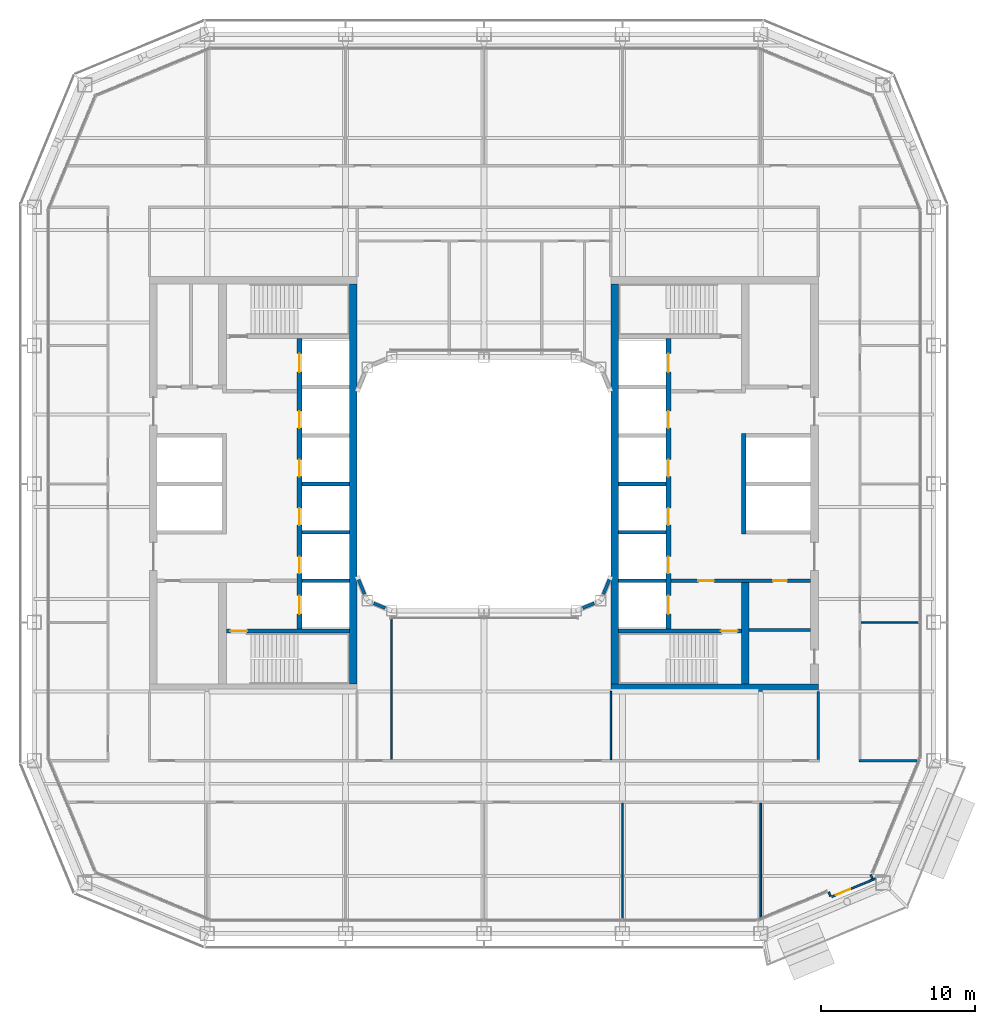
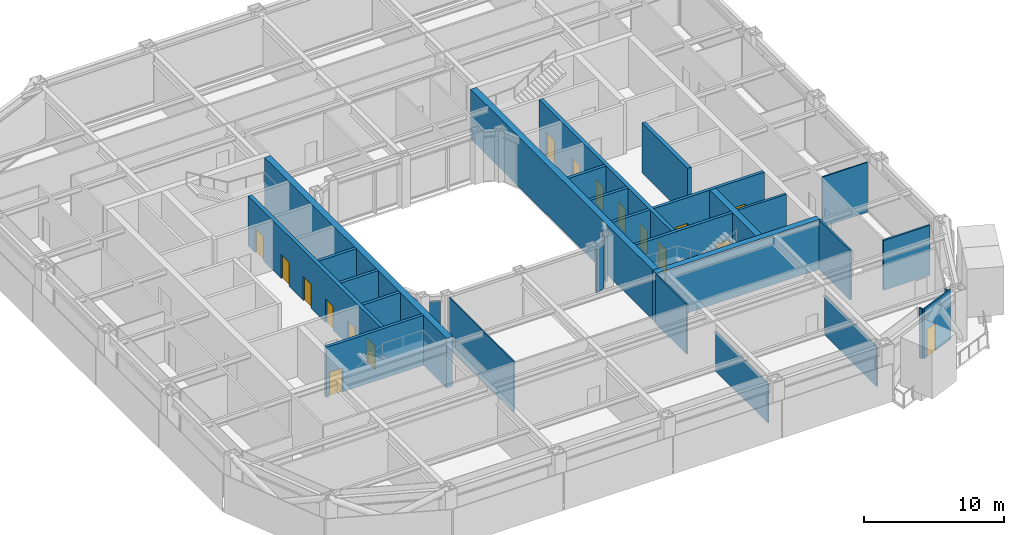
# One storey, part 12 of 23: 31 walls, 17 doors, 17 openings.
"""IFC4 building model written with IfcOpenShell, lengths in metres."""

from ifc_helpers import new_model, si_unit, direction, frame, frame_2d, origin, place, context, subcontext, project, spatial, rectangle, extrude, material, layer, layer_set, type_object, element, fill, save


model = new_model("IFC4")

# Units and contexts
model_context = context("Model", 3, precision=1e-05, world=origin(), true_north=direction((0.0, 1.0)))
body_context = subcontext(model_context, "Body", "Model", "MODEL_VIEW")
ifc_project = project(units=[si_unit("LENGTHUNIT", "METRE"), si_unit("AREAUNIT", "SQUARE_METRE"), si_unit("VOLUMEUNIT", "CUBIC_METRE"), si_unit("PLANEANGLEUNIT", "RADIAN"), si_unit("MASSUNIT", "GRAM", prefix="KILO")], contexts=[model_context])

# Site, building, storey
site_placement = place(None, origin())
site = spatial("IfcSite", under=ifc_project, at=site_placement, CompositionType="ELEMENT")
building_placement = place(site_placement, origin())
building = spatial("IfcBuilding", under=site, at=building_placement, Name="Siwar Civic Tower", CompositionType="ELEMENT")
storey_placement = place(building_placement, frame((0.0, 0.0, 127.199951171875)))
storey = spatial("IfcBuildingStorey", under=building, at=storey_placement, Name="L27", CompositionType="ELEMENT", Elevation=127.199951171875)

# Walls
ifc_material_1 = material(Name="Gypsum board on steel studs", Category="steel")
ifc_layer_1 = layer(ifc_material_1, 0.199951171875)
ifc_layer_set_1 = layer_set([ifc_layer_1], Name="Gypsum board on steel studs")
wall_type_1 = type_object("IfcWallType", Name="CORE-PARTITION-200", PredefinedType="PARTITIONING", material=ifc_layer_set_1)
wall_1_placement = place(storey_placement, frame((17.25, -9.5, 0.0), z_axis=(0.0, 0.0, 1.0), x_axis=(1.0, 0.0, 0.0)))
element("IfcWall", 1, at=wall_1_placement, inside=storey, type_object=wall_type_1, Name="Core partition E", PredefinedType="PARTITIONING", context=body_context, shape_type="SweptSolid", body=[
    extrude(rectangle(XDim=4.0, YDim=0.199951171875, at=frame_2d((2.0, 0.0))), origin(), (0.0, 0.0, 1.0), 4.35009765625),
])
ifc_material_2 = material(Name="Concrete C60/75", Category="concrete")
ifc_layer_2 = layer(ifc_material_2, 0.25)
ifc_layer_set_2 = layer_set([ifc_layer_2], Name="Concrete C60/75")
wall_type_2 = type_object("IfcWallType", Name="CORE-WALL-RC250", PredefinedType="SHEAR", material=ifc_layer_set_2)
for number, where, z_axis, x_axis, name in (
    (2, (-8.75, 0.0, 0.0), (0.0, 0.0, 1.0), (-1.0, 0.0, 0.0), "Core wall W"),
    (3, (-8.75, -3.14990234375, 0.0), (0.0, 0.0, 1.0), (-1.0, 0.0, 0.0), "Core wall W"),
    (4, (-8.75, -6.300048828125, 0.0), (0.0, 0.0, 1.0), (-1.0, 0.0, 0.0), "Core wall W"),
):
    element("IfcWall", number, at=place(storey_placement, frame(where, z_axis=z_axis, x_axis=x_axis)), inside=storey, type_object=wall_type_2, Name=name, PredefinedType="SHEAR", context=body_context, shape_type="SweptSolid", body=[
        extrude(rectangle(XDim=3.10009765625, YDim=0.25, at=frame_2d((1.550048828125, 0.0))), origin(), (0.0, 0.0, 1.0), 4.35009765625),
    ])

# Wall, opening, door
wall_2_placement = place(storey_placement, frame((-8.75, -9.574951171875, 0.0), z_axis=(0.0, 0.0, 1.0), x_axis=(-1.0, 0.0, 0.0)))
wall_2 = element("IfcWall", 5, at=wall_2_placement, inside=storey, type_object=wall_type_2, Name="Core wall W", PredefinedType="SHEAR", context=body_context, shape_type="SweptSolid", body=[
    extrude(rectangle(XDim=8.0, YDim=0.25, at=frame_2d((4.0, 0.0))), origin(), (0.0, 0.0, 1.0), 4.35009765625),
])
opening_1_placement = place(wall_2_placement, frame((6.64990234375, 0.0, 0.0)))
opening_1 = element("IfcOpeningElement", 6, at=opening_1_placement, cuts=wall_2, Name="Opening L27-CW04", PredefinedType="OPENING", context=body_context, shape_type="SweptSolid", body=[
    extrude(rectangle(XDim=1.10009765625, YDim=2.10009765625, at=frame_2d((0.550048828125, 1.050048828125))), frame((0.0, 0.135009765625, 0.0), z_axis=(0.0, -1.0, 0.0), x_axis=(1.0, 0.0, 0.0)), (0.0, 0.0, 1.0), 0.27001953125),
])
ifc_material_3 = material(Name="Steel door leaf", Category="steel")
door_type_1 = type_object("IfcDoorType", Name="CORE-DOOR-FD60S", OperationType="SINGLE_SWING_LEFT", PredefinedType="DOOR", material=ifc_material_3)
door_1_placement = place(opening_1_placement, origin())
door_1 = element("IfcDoor", 7, at=door_1_placement, inside=storey, type_object=door_type_1, Name="Stair door L27-CW04", OperationType="SINGLE_SWING_LEFT", OverallHeight=2.10009765625, OverallWidth=1.10009765625, PredefinedType="DOOR", context=body_context, shape_type="SweptSolid", body=[
    extrude(rectangle(XDim=1.10009765625, YDim=2.10009765625, at=frame_2d((0.550048828125, 1.050048828125))), frame((0.0, 0.02490234375, 0.0), z_axis=(0.0, -1.0, 0.0), x_axis=(1.0, 0.0, 0.0)), (0.0, 0.0, 1.0), 0.050048828125),
])
fill(opening_1, door_1)

# Wall, openings, doors
wall_3_placement = place(storey_placement, frame((12.14990234375, -6.300048828125, 0.0), z_axis=(0.0, 0.0, 1.0), x_axis=(1.0, 0.0, 0.0)))
wall_3 = element("IfcWall", 8, at=wall_3_placement, inside=storey, type_object=wall_type_2, Name="Core wall E", PredefinedType="SHEAR", context=body_context, shape_type="SweptSolid", body=[
    extrude(rectangle(XDim=9.10009765625, YDim=0.25, at=frame_2d((4.550048828125, 0.0))), origin(), (0.0, 0.0, 1.0), 4.35009765625),
])
opening_2_placement = place(wall_3_placement, frame((1.800048828125, 0.0, 0.0)))
opening_2 = element("IfcOpeningElement", 9, at=opening_2_placement, cuts=wall_3, Name="Opening L27-CE02", PredefinedType="OPENING", context=body_context, shape_type="SweptSolid", body=[
    extrude(rectangle(XDim=1.0, YDim=2.10009765625, at=frame_2d((0.5, 1.050048828125))), frame((0.0, 0.135009765625, 0.0), z_axis=(0.0, -1.0, 0.0), x_axis=(1.0, 0.0, 0.0)), (0.0, 0.0, 1.0), 0.27001953125),
])
opening_3_placement = place(wall_3_placement, frame((6.64990234375, 0.0, 0.0)))
opening_3 = element("IfcOpeningElement", 10, at=opening_3_placement, cuts=wall_3, Name="Opening L27-CE14", PredefinedType="OPENING", context=body_context, shape_type="SweptSolid", body=[
    extrude(rectangle(XDim=0.89990234375, YDim=2.10009765625, at=frame_2d((0.449951171875, 1.050048828125))), frame((0.0, 0.135009765625, 0.0), z_axis=(0.0, -1.0, 0.0), x_axis=(1.0, 0.0, 0.0)), (0.0, 0.0, 1.0), 0.27001953125),
])
ifc_material_4 = material(Name="Steel door leaf", Category="steel")
door_type_2 = type_object("IfcDoorType", Name="CORE-DOOR-FD30S", OperationType="SINGLE_SWING_LEFT", PredefinedType="DOOR", material=ifc_material_4)
door_2_placement = place(opening_2_placement, origin())
door_2 = element("IfcDoor", 11, at=door_2_placement, inside=storey, type_object=door_type_2, Name="Service lobby door L27-CE02", OperationType="SINGLE_SWING_LEFT", OverallHeight=2.10009765625, OverallWidth=1.0, PredefinedType="DOOR", context=body_context, shape_type="SweptSolid", body=[
    extrude(rectangle(XDim=1.0, YDim=2.10009765625, at=frame_2d((0.5, 1.050048828125))), frame((0.0, 0.02490234375, 0.0), z_axis=(0.0, -1.0, 0.0), x_axis=(1.0, 0.0, 0.0)), (0.0, 0.0, 1.0), 0.050048828125),
])
fill(opening_2, door_2)
ifc_material_5 = material(Name="Steel door leaf", Category="steel")
door_type_3 = type_object("IfcDoorType", Name="CORE-DOOR-ROOM", OperationType="SINGLE_SWING_LEFT", PredefinedType="DOOR", material=ifc_material_5)
door_3_placement = place(opening_3_placement, origin())
door_3 = element("IfcDoor", 12, at=door_3_placement, inside=storey, type_object=door_type_3, Name="Core room door L27-CE14", OperationType="SINGLE_SWING_LEFT", OverallHeight=2.10009765625, OverallWidth=0.89990234375, PredefinedType="DOOR", context=body_context, shape_type="SweptSolid", body=[
    extrude(rectangle(XDim=0.89990234375, YDim=2.10009765625, at=frame_2d((0.449951171875, 1.050048828125))), frame((0.0, 0.02490234375, 0.0), z_axis=(0.0, -1.0, 0.0), x_axis=(1.0, 0.0, 0.0)), (0.0, 0.0, 1.0), 0.050048828125),
])
fill(opening_3, door_3)

# Walls
for number, where, z_axis, x_axis, name in (
    (13, (8.75, 0.0, 0.0), (0.0, 0.0, 1.0), (1.0, 0.0, 0.0), "Core wall E"),
    (14, (8.75, -3.14990234375, 0.0), (0.0, 0.0, 1.0), (1.0, 0.0, 0.0), "Core wall E"),
    (15, (8.75, -6.300048828125, 0.0), (0.0, 0.0, 1.0), (1.0, 0.0, 0.0), "Core wall E"),
):
    element("IfcWall", number, at=place(storey_placement, frame(where, z_axis=z_axis, x_axis=x_axis)), inside=storey, type_object=wall_type_2, Name=name, PredefinedType="SHEAR", context=body_context, shape_type="SweptSolid", body=[
        extrude(rectangle(XDim=3.10009765625, YDim=0.25, at=frame_2d((1.550048828125, 0.0))), origin(), (0.0, 0.0, 1.0), 4.35009765625),
    ])

# Wall, opening, door
wall_4_placement = place(storey_placement, frame((8.75, -9.574951171875, 0.0), z_axis=(0.0, 0.0, 1.0), x_axis=(1.0, 0.0, 0.0)))
wall_4 = element("IfcWall", 16, at=wall_4_placement, inside=storey, type_object=wall_type_2, Name="Core wall E", PredefinedType="SHEAR", context=body_context, shape_type="SweptSolid", body=[
    extrude(rectangle(XDim=8.0, YDim=0.25, at=frame_2d((4.0, 0.0))), origin(), (0.0, 0.0, 1.0), 4.35009765625),
])
opening_4_placement = place(wall_4_placement, frame((6.64990234375, 0.0, 0.0)))
opening_4 = element("IfcOpeningElement", 17, at=opening_4_placement, cuts=wall_4, Name="Opening L27-CE04", PredefinedType="OPENING", context=body_context, shape_type="SweptSolid", body=[
    extrude(rectangle(XDim=1.10009765625, YDim=2.10009765625, at=frame_2d((0.550048828125, 1.050048828125))), frame((0.0, 0.135009765625, 0.0), z_axis=(0.0, -1.0, 0.0), x_axis=(1.0, 0.0, 0.0)), (0.0, 0.0, 1.0), 0.27001953125),
])
door_4_placement = place(opening_4_placement, origin())
door_4 = element("IfcDoor", 18, at=door_4_placement, inside=storey, type_object=door_type_1, Name="Stair door L27-CE04", OperationType="SINGLE_SWING_RIGHT", OverallHeight=2.10009765625, OverallWidth=1.10009765625, PredefinedType="DOOR", context=body_context, shape_type="SweptSolid", body=[
    extrude(rectangle(XDim=1.10009765625, YDim=2.10009765625, at=frame_2d((0.550048828125, 1.050048828125))), frame((0.0, 0.02490234375, 0.0), z_axis=(0.0, -1.0, 0.0), x_axis=(1.0, 0.0, 0.0)), (0.0, 0.0, 1.0), 0.050048828125),
])
fill(opening_4, door_4)

# Wall, openings, doors
ifc_material_6 = material(Name="Concrete C60/75", Category="concrete")
ifc_layer_3 = layer(ifc_material_6, 0.300048828125)
ifc_layer_set_3 = layer_set([ifc_layer_3], Name="Concrete C60/75")
wall_type_3 = type_object("IfcWallType", Name="CORE-WALL-RC300", PredefinedType="SHEAR", material=ifc_layer_set_3)
wall_5_placement = place(storey_placement, frame((-12.0, -9.449951171875, 0.0), z_axis=(0.0, 0.0, 1.0), x_axis=(0.0, 1.0, 0.0)))
wall_5 = element("IfcWall", 19, at=wall_5_placement, inside=storey, type_object=wall_type_3, Name="Core wall W", PredefinedType="SHEAR", context=body_context, shape_type="SweptSolid", body=[
    extrude(rectangle(XDim=18.89990234375, YDim=0.300048828125, at=frame_2d((9.449951171875, 0.0))), origin(), (0.0, 0.0, 1.0), 4.35009765625),
])
opening_5_placement = place(wall_5_placement, frame((3.625, 0.0, 0.0)))
opening_5 = element("IfcOpeningElement", 20, at=opening_5_placement, cuts=wall_5, Name="Opening L27-CW07", PredefinedType="OPENING", context=body_context, shape_type="SweptSolid", body=[
    extrude(rectangle(XDim=1.10009765625, YDim=2.10009765625, at=frame_2d((0.550048828125, 1.050048828125))), frame((0.0, 0.16015625, 0.0), z_axis=(0.0, -1.0, 0.0), x_axis=(1.0, 0.0, 0.0)), (0.0, 0.0, 1.0), 0.320068359375),
])
opening_6_placement = place(wall_5_placement, frame((6.77490234375, 0.0, 0.0)))
opening_6 = element("IfcOpeningElement", 21, at=opening_6_placement, cuts=wall_5, Name="Opening L27-CW08", PredefinedType="OPENING", context=body_context, shape_type="SweptSolid", body=[
    extrude(rectangle(XDim=1.10009765625, YDim=2.10009765625, at=frame_2d((0.550048828125, 1.050048828125))), frame((0.0, 0.16015625, 0.0), z_axis=(0.0, -1.0, 0.0), x_axis=(1.0, 0.0, 0.0)), (0.0, 0.0, 1.0), 0.320068359375),
])
opening_7_placement = place(wall_5_placement, frame((9.925048828125, 0.0, 0.0)))
opening_7 = element("IfcOpeningElement", 22, at=opening_7_placement, cuts=wall_5, Name="Opening L27-CW09", PredefinedType="OPENING", context=body_context, shape_type="SweptSolid", body=[
    extrude(rectangle(XDim=1.10009765625, YDim=2.10009765625, at=frame_2d((0.550048828125, 1.050048828125))), frame((0.0, 0.16015625, 0.0), z_axis=(0.0, -1.0, 0.0), x_axis=(1.0, 0.0, 0.0)), (0.0, 0.0, 1.0), 0.320068359375),
])
opening_8_placement = place(wall_5_placement, frame((13.074951171875, 0.0, 0.0)))
opening_8 = element("IfcOpeningElement", 23, at=opening_8_placement, cuts=wall_5, Name="Opening L27-CW10", PredefinedType="OPENING", context=body_context, shape_type="SweptSolid", body=[
    extrude(rectangle(XDim=1.10009765625, YDim=2.10009765625, at=frame_2d((0.550048828125, 1.050048828125))), frame((0.0, 0.16015625, 0.0), z_axis=(0.0, -1.0, 0.0), x_axis=(1.0, 0.0, 0.0)), (0.0, 0.0, 1.0), 0.320068359375),
])
opening_9_placement = place(wall_5_placement, frame((16.72509765625, 0.0, 0.0)))
opening_9 = element("IfcOpeningElement", 24, at=opening_9_placement, cuts=wall_5, Name="Opening L27-CW11", PredefinedType="OPENING", context=body_context, shape_type="SweptSolid", body=[
    extrude(rectangle(XDim=1.199951171875, YDim=2.10009765625, at=frame_2d((0.60009765625, 1.050048828125))), frame((0.0, 0.16015625, 0.0), z_axis=(0.0, -1.0, 0.0), x_axis=(1.0, 0.0, 0.0)), (0.0, 0.0, 1.0), 0.320068359375),
])
opening_10_placement = place(wall_5_placement, frame((0.97509765625, 0.0, 0.0)))
opening_10 = element("IfcOpeningElement", 25, at=opening_10_placement, cuts=wall_5, Name="Opening L27-CW12", PredefinedType="OPENING", context=body_context, shape_type="SweptSolid", body=[
    extrude(rectangle(XDim=1.199951171875, YDim=2.10009765625, at=frame_2d((0.60009765625, 1.050048828125))), frame((0.0, 0.16015625, 0.0), z_axis=(0.0, -1.0, 0.0), x_axis=(1.0, 0.0, 0.0)), (0.0, 0.0, 1.0), 0.320068359375),
])
ifc_material_7 = material(Name="Steel door leaf", Category="steel")
door_type_4 = type_object("IfcDoorType", Name="CORE-DOOR-LD", OperationType="DOUBLE_DOOR_SLIDING", PredefinedType="DOOR", material=ifc_material_7)
door_5_placement = place(opening_5_placement, origin())
door_5 = element("IfcDoor", 26, at=door_5_placement, inside=storey, type_object=door_type_4, Name="Landing door LR1 L27-CW07", OperationType="DOUBLE_DOOR_SLIDING", OverallHeight=2.10009765625, OverallWidth=1.10009765625, PredefinedType="DOOR", context=body_context, shape_type="SweptSolid", body=[
    extrude(rectangle(XDim=1.10009765625, YDim=2.10009765625, at=frame_2d((0.550048828125, 1.050048828125))), frame((0.0, 0.02490234375, 0.0), z_axis=(0.0, -1.0, 0.0), x_axis=(1.0, 0.0, 0.0)), (0.0, 0.0, 1.0), 0.050048828125),
])
fill(opening_5, door_5)
door_6_placement = place(opening_6_placement, origin())
door_6 = element("IfcDoor", 27, at=door_6_placement, inside=storey, type_object=door_type_4, Name="Landing door LR2 L27-CW08", OperationType="DOUBLE_DOOR_SLIDING", OverallHeight=2.10009765625, OverallWidth=1.10009765625, PredefinedType="DOOR", context=body_context, shape_type="SweptSolid", body=[
    extrude(rectangle(XDim=1.10009765625, YDim=2.10009765625, at=frame_2d((0.550048828125, 1.050048828125))), frame((0.0, 0.02490234375, 0.0), z_axis=(0.0, -1.0, 0.0), x_axis=(1.0, 0.0, 0.0)), (0.0, 0.0, 1.0), 0.050048828125),
])
fill(opening_6, door_6)
door_7_placement = place(opening_7_placement, origin())
door_7 = element("IfcDoor", 28, at=door_7_placement, inside=storey, type_object=door_type_4, Name="Landing door LR3 L27-CW09", OperationType="DOUBLE_DOOR_SLIDING", OverallHeight=2.10009765625, OverallWidth=1.10009765625, PredefinedType="DOOR", context=body_context, shape_type="SweptSolid", body=[
    extrude(rectangle(XDim=1.10009765625, YDim=2.10009765625, at=frame_2d((0.550048828125, 1.050048828125))), frame((0.0, 0.02490234375, 0.0), z_axis=(0.0, -1.0, 0.0), x_axis=(1.0, 0.0, 0.0)), (0.0, 0.0, 1.0), 0.050048828125),
])
fill(opening_7, door_7)
door_8_placement = place(opening_8_placement, origin())
door_8 = element("IfcDoor", 29, at=door_8_placement, inside=storey, type_object=door_type_4, Name="Landing door LR4 L27-CW10", OperationType="DOUBLE_DOOR_SLIDING", OverallHeight=2.10009765625, OverallWidth=1.10009765625, PredefinedType="DOOR", context=body_context, shape_type="SweptSolid", body=[
    extrude(rectangle(XDim=1.10009765625, YDim=2.10009765625, at=frame_2d((0.550048828125, 1.050048828125))), frame((0.0, 0.02490234375, 0.0), z_axis=(0.0, -1.0, 0.0), x_axis=(1.0, 0.0, 0.0)), (0.0, 0.0, 1.0), 0.050048828125),
])
fill(opening_8, door_8)
ifc_material_8 = material(Name="Steel door leaf", Category="steel")
door_type_5 = type_object("IfcDoorType", Name="CORE-DOOR-LDW", OperationType="DOUBLE_DOOR_SLIDING", PredefinedType="DOOR", material=ifc_material_8)
door_9_placement = place(opening_9_placement, origin())
door_9 = element("IfcDoor", 30, at=door_9_placement, inside=storey, type_object=door_type_5, Name="Landing door FF1 L27-CW11", OperationType="DOUBLE_DOOR_SLIDING", OverallHeight=2.10009765625, OverallWidth=1.199951171875, PredefinedType="DOOR", context=body_context, shape_type="SweptSolid", body=[
    extrude(rectangle(XDim=1.199951171875, YDim=2.10009765625, at=frame_2d((0.60009765625, 1.050048828125))), frame((0.0, 0.02490234375, 0.0), z_axis=(0.0, -1.0, 0.0), x_axis=(1.0, 0.0, 0.0)), (0.0, 0.0, 1.0), 0.050048828125),
])
fill(opening_9, door_9)
door_10_placement = place(opening_10_placement, origin())
door_10 = element("IfcDoor", 31, at=door_10_placement, inside=storey, type_object=door_type_5, Name="Landing door SV1 L27-CW12", OperationType="DOUBLE_DOOR_SLIDING", OverallHeight=2.10009765625, OverallWidth=1.199951171875, PredefinedType="DOOR", context=body_context, shape_type="SweptSolid", body=[
    extrude(rectangle(XDim=1.199951171875, YDim=2.10009765625, at=frame_2d((0.60009765625, 1.050048828125))), frame((0.0, 0.02490234375, 0.0), z_axis=(0.0, -1.0, 0.0), x_axis=(1.0, 0.0, 0.0)), (0.0, 0.0, 1.0), 0.050048828125),
])
fill(opening_10, door_10)

wall_6_placement = place(storey_placement, frame((12.0, -9.449951171875, 0.0), z_axis=(0.0, 0.0, 1.0), x_axis=(0.0, 1.0, 0.0)))
wall_6 = element("IfcWall", 32, at=wall_6_placement, inside=storey, type_object=wall_type_3, Name="Core wall E", PredefinedType="SHEAR", context=body_context, shape_type="SweptSolid", body=[
    extrude(rectangle(XDim=18.89990234375, YDim=0.300048828125, at=frame_2d((9.449951171875, 0.0))), origin(), (0.0, 0.0, 1.0), 4.35009765625),
])
opening_11_placement = place(wall_6_placement, frame((3.625, 0.0, 0.0)))
opening_11 = element("IfcOpeningElement", 33, at=opening_11_placement, cuts=wall_6, Name="Opening L27-CE07", PredefinedType="OPENING", context=body_context, shape_type="SweptSolid", body=[
    extrude(rectangle(XDim=1.10009765625, YDim=2.10009765625, at=frame_2d((0.550048828125, 1.050048828125))), frame((0.0, 0.16015625, 0.0), z_axis=(0.0, -1.0, 0.0), x_axis=(1.0, 0.0, 0.0)), (0.0, 0.0, 1.0), 0.320068359375),
])
opening_12_placement = place(wall_6_placement, frame((6.77490234375, 0.0, 0.0)))
opening_12 = element("IfcOpeningElement", 34, at=opening_12_placement, cuts=wall_6, Name="Opening L27-CE08", PredefinedType="OPENING", context=body_context, shape_type="SweptSolid", body=[
    extrude(rectangle(XDim=1.10009765625, YDim=2.10009765625, at=frame_2d((0.550048828125, 1.050048828125))), frame((0.0, 0.16015625, 0.0), z_axis=(0.0, -1.0, 0.0), x_axis=(1.0, 0.0, 0.0)), (0.0, 0.0, 1.0), 0.320068359375),
])
opening_13_placement = place(wall_6_placement, frame((9.925048828125, 0.0, 0.0)))
opening_13 = element("IfcOpeningElement", 35, at=opening_13_placement, cuts=wall_6, Name="Opening L27-CE09", PredefinedType="OPENING", context=body_context, shape_type="SweptSolid", body=[
    extrude(rectangle(XDim=1.10009765625, YDim=2.10009765625, at=frame_2d((0.550048828125, 1.050048828125))), frame((0.0, 0.16015625, 0.0), z_axis=(0.0, -1.0, 0.0), x_axis=(1.0, 0.0, 0.0)), (0.0, 0.0, 1.0), 0.320068359375),
])
opening_14_placement = place(wall_6_placement, frame((13.074951171875, 0.0, 0.0)))
opening_14 = element("IfcOpeningElement", 36, at=opening_14_placement, cuts=wall_6, Name="Opening L27-CE10", PredefinedType="OPENING", context=body_context, shape_type="SweptSolid", body=[
    extrude(rectangle(XDim=1.10009765625, YDim=2.10009765625, at=frame_2d((0.550048828125, 1.050048828125))), frame((0.0, 0.16015625, 0.0), z_axis=(0.0, -1.0, 0.0), x_axis=(1.0, 0.0, 0.0)), (0.0, 0.0, 1.0), 0.320068359375),
])
opening_15_placement = place(wall_6_placement, frame((16.72509765625, 0.0, 0.0)))
opening_15 = element("IfcOpeningElement", 37, at=opening_15_placement, cuts=wall_6, Name="Opening L27-CE11", PredefinedType="OPENING", context=body_context, shape_type="SweptSolid", body=[
    extrude(rectangle(XDim=1.199951171875, YDim=2.10009765625, at=frame_2d((0.60009765625, 1.050048828125))), frame((0.0, 0.16015625, 0.0), z_axis=(0.0, -1.0, 0.0), x_axis=(1.0, 0.0, 0.0)), (0.0, 0.0, 1.0), 0.320068359375),
])
opening_16_placement = place(wall_6_placement, frame((0.97509765625, 0.0, 0.0)))
opening_16 = element("IfcOpeningElement", 38, at=opening_16_placement, cuts=wall_6, Name="Opening L27-CE12", PredefinedType="OPENING", context=body_context, shape_type="SweptSolid", body=[
    extrude(rectangle(XDim=1.199951171875, YDim=2.10009765625, at=frame_2d((0.60009765625, 1.050048828125))), frame((0.0, 0.16015625, 0.0), z_axis=(0.0, -1.0, 0.0), x_axis=(1.0, 0.0, 0.0)), (0.0, 0.0, 1.0), 0.320068359375),
])
door_11_placement = place(opening_11_placement, origin())
door_11 = element("IfcDoor", 39, at=door_11_placement, inside=storey, type_object=door_type_4, Name="Landing door LR5 L27-CE07", OperationType="DOUBLE_DOOR_SLIDING", OverallHeight=2.10009765625, OverallWidth=1.10009765625, PredefinedType="DOOR", context=body_context, shape_type="SweptSolid", body=[
    extrude(rectangle(XDim=1.10009765625, YDim=2.10009765625, at=frame_2d((0.550048828125, 1.050048828125))), frame((0.0, 0.02490234375, 0.0), z_axis=(0.0, -1.0, 0.0), x_axis=(1.0, 0.0, 0.0)), (0.0, 0.0, 1.0), 0.050048828125),
])
fill(opening_11, door_11)
door_12_placement = place(opening_12_placement, origin())
door_12 = element("IfcDoor", 40, at=door_12_placement, inside=storey, type_object=door_type_4, Name="Landing door LR6 L27-CE08", OperationType="DOUBLE_DOOR_SLIDING", OverallHeight=2.10009765625, OverallWidth=1.10009765625, PredefinedType="DOOR", context=body_context, shape_type="SweptSolid", body=[
    extrude(rectangle(XDim=1.10009765625, YDim=2.10009765625, at=frame_2d((0.550048828125, 1.050048828125))), frame((0.0, 0.02490234375, 0.0), z_axis=(0.0, -1.0, 0.0), x_axis=(1.0, 0.0, 0.0)), (0.0, 0.0, 1.0), 0.050048828125),
])
fill(opening_12, door_12)
door_13_placement = place(opening_13_placement, origin())
door_13 = element("IfcDoor", 41, at=door_13_placement, inside=storey, type_object=door_type_4, Name="Landing door LR7 L27-CE09", OperationType="DOUBLE_DOOR_SLIDING", OverallHeight=2.10009765625, OverallWidth=1.10009765625, PredefinedType="DOOR", context=body_context, shape_type="SweptSolid", body=[
    extrude(rectangle(XDim=1.10009765625, YDim=2.10009765625, at=frame_2d((0.550048828125, 1.050048828125))), frame((0.0, 0.02490234375, 0.0), z_axis=(0.0, -1.0, 0.0), x_axis=(1.0, 0.0, 0.0)), (0.0, 0.0, 1.0), 0.050048828125),
])
fill(opening_13, door_13)
door_14_placement = place(opening_14_placement, origin())
door_14 = element("IfcDoor", 42, at=door_14_placement, inside=storey, type_object=door_type_4, Name="Landing door LR8 L27-CE10", OperationType="DOUBLE_DOOR_SLIDING", OverallHeight=2.10009765625, OverallWidth=1.10009765625, PredefinedType="DOOR", context=body_context, shape_type="SweptSolid", body=[
    extrude(rectangle(XDim=1.10009765625, YDim=2.10009765625, at=frame_2d((0.550048828125, 1.050048828125))), frame((0.0, 0.02490234375, 0.0), z_axis=(0.0, -1.0, 0.0), x_axis=(1.0, 0.0, 0.0)), (0.0, 0.0, 1.0), 0.050048828125),
])
fill(opening_14, door_14)
door_15_placement = place(opening_15_placement, origin())
door_15 = element("IfcDoor", 43, at=door_15_placement, inside=storey, type_object=door_type_5, Name="Landing door FF2 L27-CE11", OperationType="DOUBLE_DOOR_SLIDING", OverallHeight=2.10009765625, OverallWidth=1.199951171875, PredefinedType="DOOR", context=body_context, shape_type="SweptSolid", body=[
    extrude(rectangle(XDim=1.199951171875, YDim=2.10009765625, at=frame_2d((0.60009765625, 1.050048828125))), frame((0.0, 0.02490234375, 0.0), z_axis=(0.0, -1.0, 0.0), x_axis=(1.0, 0.0, 0.0)), (0.0, 0.0, 1.0), 0.050048828125),
])
fill(opening_15, door_15)
door_16_placement = place(opening_16_placement, origin())
door_16 = element("IfcDoor", 44, at=door_16_placement, inside=storey, type_object=door_type_5, Name="Landing door SV2 L27-CE12", OperationType="DOUBLE_DOOR_SLIDING", OverallHeight=2.10009765625, OverallWidth=1.199951171875, PredefinedType="DOOR", context=body_context, shape_type="SweptSolid", body=[
    extrude(rectangle(XDim=1.199951171875, YDim=2.10009765625, at=frame_2d((0.60009765625, 1.050048828125))), frame((0.0, 0.02490234375, 0.0), z_axis=(0.0, -1.0, 0.0), x_axis=(1.0, 0.0, 0.0)), (0.0, 0.0, 1.0), 0.050048828125),
])
fill(opening_16, door_16)

# Walls
wall_7_placement = place(storey_placement, frame((16.89990234375, -3.27490234375, 0.0), z_axis=(0.0, 0.0, 1.0), x_axis=(0.0, 1.0, 0.0)))
element("IfcWall", 45, at=wall_7_placement, inside=storey, type_object=wall_type_3, Name="Core wall E", PredefinedType="SHEAR", context=body_context, shape_type="SweptSolid", body=[
    extrude(rectangle(XDim=6.5498046875, YDim=0.300048828125, at=frame_2d((3.27490234375, 0.0))), origin(), (0.0, 0.0, 1.0), 4.35009765625),
])
ifc_material_9 = material(Name="Concrete C60/75", Category="concrete")
ifc_layer_4 = layer(ifc_material_9, 0.5)
ifc_layer_set_4 = layer_set([ifc_layer_4], Name="Concrete C60/75")
wall_type_4 = type_object("IfcWallType", Name="CORE-WALL-RC500", PredefinedType="SHEAR", material=ifc_layer_set_4)
wall_8_placement = place(storey_placement, frame((17.0, -13.0, 0.0), z_axis=(0.0, 0.0, 1.0), x_axis=(0.0, 1.0, 0.0)))
element("IfcWall", 46, at=wall_8_placement, inside=storey, type_object=wall_type_4, Name="Core wall E", PredefinedType="SHEAR", context=body_context, shape_type="SweptSolid", body=[
    extrude(rectangle(XDim=6.574951171875, YDim=0.5, at=frame_2d((3.28759765625, 0.0))), origin(), (0.0, 0.0, 1.0), 4.35009765625),
])
wall_9_placement = place(storey_placement, frame((8.25, -13.25, 0.0), z_axis=(0.0, 0.0, 1.0), x_axis=(1.0, 0.0, 0.0)))
element("IfcWall", 47, at=wall_9_placement, inside=storey, type_object=wall_type_4, Name="Core wall E", PredefinedType="SHEAR", context=body_context, shape_type="SweptSolid", body=[
    extrude(rectangle(XDim=13.5, YDim=0.5, at=frame_2d((6.75, 0.0))), origin(), (0.0, 0.0, 1.0), 4.35009765625),
])
ifc_material_10 = material(Name="Concrete C60/75", Category="concrete")
ifc_layer_5 = layer(ifc_material_10, 0.5)
ifc_layer_set_5 = layer_set([ifc_layer_5], Name="Concrete C60/75")
wall_type_5 = type_object("IfcWallType", Name="CORE-WALL-RC500-EXT", PredefinedType="SHEAR", material=ifc_layer_set_5)
for number, where, z_axis, x_axis, name in (
    (48, (-8.5, -13.0, 0.0), (0.0, 0.0, 1.0), (0.0, 1.0, 0.0), "Core wall W"),
    (49, (8.5, -13.0, 0.0), (0.0, 0.0, 1.0), (0.0, 1.0, 0.0), "Core wall E"),
):
    element("IfcWall", number, at=place(storey_placement, frame(where, z_axis=z_axis, x_axis=x_axis)), inside=storey, type_object=wall_type_5, Name=name, PredefinedType="SHEAR", context=body_context, shape_type="SweptSolid", body=[
        extrude(rectangle(XDim=26.0, YDim=0.5, at=frame_2d((13.0, 0.0))), origin(), (0.0, 0.0, 1.0), 4.35009765625),
    ])
ifc_material_11 = material(Name="Gypsum board on steel studs", Category="steel")
ifc_layer_6 = layer(ifc_material_11, 0.14990234375)
ifc_layer_set_6 = layer_set([ifc_layer_6], Name="Gypsum board on steel studs")
wall_type_6 = type_object("IfcWallType", Name="CORRIDOR PARTITION 150 EI 30", PredefinedType="PARTITIONING", material=ifc_layer_set_6)
wall_10_placement = place(storey_placement, frame((24.375, -18.0, 0.0), z_axis=(0.0, 0.0, 1.0), x_axis=(1.0, 0.0, 0.0)))
element("IfcWall", 50, at=wall_10_placement, inside=storey, type_object=wall_type_6, Name="L27/wall/P04", PredefinedType="PARTITIONING", context=body_context, shape_type="SweptSolid", body=[
    extrude(rectangle(XDim=3.802978515625, YDim=0.14990234375, at=frame_2d((1.9013671875, 0.0))), origin(), (0.0, 0.0, 1.0), 4.35009765625),
])
wall_11_placement = place(storey_placement, frame((21.75, -17.925048828125, 0.0), z_axis=(0.0, 0.0, 1.0), x_axis=(0.0, 1.0, 0.0)))
element("IfcWall", 51, at=wall_11_placement, inside=storey, type_object=wall_type_6, Name="L27/wall/P39", PredefinedType="PARTITIONING", context=body_context, shape_type="SweptSolid", body=[
    extrude(rectangle(XDim=4.425048828125, YDim=0.14990234375, at=frame_2d((2.21240234375, 0.0))), origin(), (0.0, 0.0, 1.0), 4.35009765625),
])
ifc_material_12 = material(Name="Aluminium clad insulated panel", Category="aluminium")
ifc_layer_7 = layer(ifc_material_12, 0.1201171875)
ifc_layer_set_7 = layer_set([ifc_layer_7], Name="Aluminium clad insulated panel")
wall_type_7 = type_object("IfcWallType", Name="ENV-WALL-BAL", PredefinedType="STANDARD", material=ifc_layer_set_7)
for number, where, z_axis, x_axis, name in (
    (52, (22.42529296875, -26.551025390625, 0.0), (0.0, 0.0, 1.0), (0.382103986862, -0.924119333865, 0.0), "Balcony door wall return SE1"),
    (53, (25.153076171875, -25.421142578125, 0.0), (0.0, 0.0, 1.0), (0.383120166156, -0.923698510492, 0.0), "Balcony door wall return SE1"),
):
    element("IfcWall", number, at=place(storey_placement, frame(where, z_axis=z_axis, x_axis=x_axis)), inside=storey, type_object=wall_type_7, Name=name, PredefinedType="STANDARD", context=body_context, shape_type="SweptSolid", body=[
        extrude(rectangle(XDim=0.2900390625, YDim=0.1201171875, at=frame_2d((0.14501953125, 0.0))), origin(), (0.0, 0.0, 1.0), 4.35009765625),
    ])

# Wall, opening, door
wall_12_placement = place(storey_placement, frame((22.614501953125, -26.8515625, 0.0), z_axis=(0.0, 0.0, 1.0), x_axis=(0.923869084389, 0.382708655389, 0.0)))
wall_12 = element("IfcWall", 54, at=wall_12_placement, inside=storey, type_object=wall_type_7, Name="Balcony door wall SE1", PredefinedType="STANDARD", context=body_context, shape_type="SweptSolid", body=[
    extrude(rectangle(XDim=3.1015625, YDim=0.1201171875, at=frame_2d((1.55078125, 0.0))), origin(), (0.0, 0.0, 1.0), 4.35009765625),
])
opening_17_placement = place(wall_12_placement, frame((0.300048828125, 0.0, 0.0)))
opening_17 = element("IfcOpeningElement", 55, at=opening_17_placement, cuts=wall_12, Name="Opening D-BAL", PredefinedType="OPENING", context=body_context, shape_type="SweptSolid", body=[
    extrude(rectangle(XDim=1.0, YDim=2.39990234375, at=frame_2d((0.5, 1.199951171875))), frame((0.0, 0.070068359375, 0.0), z_axis=(0.0, -1.0, 0.0), x_axis=(1.0, 0.0, 0.0)), (0.0, 0.0, 1.0), 0.14013671875),
])
ifc_material_13 = material(Name="Aluminium and glass", Category="aluminium")
door_type_6 = type_object("IfcDoorType", Name="ENV-DOOR-BAL", OperationType="SINGLE_SWING_LEFT", PredefinedType="DOOR", material=ifc_material_13)
door_17_placement = place(opening_17_placement, origin())
door_17 = element("IfcDoor", 56, at=door_17_placement, inside=storey, type_object=door_type_6, Name="Balcony door SE", OperationType="SINGLE_SWING_LEFT", OverallHeight=2.39990234375, OverallWidth=1.0, PredefinedType="DOOR", context=body_context, shape_type="SweptSolid", body=[
    extrude(rectangle(XDim=1.0, YDim=2.39990234375, at=frame_2d((0.5, 1.199951171875))), frame((0.0, 0.02490234375, 0.0), z_axis=(0.0, -1.0, 0.0), x_axis=(1.0, 0.0, 0.0)), (0.0, 0.0, 1.0), 0.050048828125),
])
fill(opening_17, door_17)

# Walls
ifc_material_14 = material(Name="Aluminium clad insulated panel", Category="aluminium")
ifc_layer_8 = layer(ifc_material_14, 0.199951171875)
ifc_layer_set_8 = layer_set([ifc_layer_8], Name="Aluminium clad insulated panel")
wall_type_8 = type_object("IfcWallType", Name="ENV-WALL-WELL", PredefinedType="STANDARD", material=ifc_layer_set_8)
wall_13_placement = place(storey_placement, frame((6.422607421875, -8.074951171875, 0.0), z_axis=(0.0, 0.0, 1.0), x_axis=(0.923817771127, 0.382832503518, 0.0)))
element("IfcWall", 57, at=wall_13_placement, inside=storey, type_object=wall_type_8, Name="Light well corner wall SE1", PredefinedType="STANDARD", context=body_context, shape_type="SweptSolid", body=[
    extrude(rectangle(XDim=0.807373046875, YDim=0.199951171875, at=frame_2d((0.40380859375, 0.0))), origin(), (0.0, 0.0, 1.0), 3.825927734375),
])
for number, where, z_axis, x_axis, name in (
    (58, (7.765869140625, -7.16845703125, 0.0), (0.0, 0.0, 1.0), (0.382769662028, 0.923843810301, 0.0), "Light well corner wall SE2"),
    (59, (-8.154296875, -6.23095703125, 0.0), (0.0, 0.0, 1.0), (0.382769662028, -0.923843810301, 0.0), "Light well corner wall SW1"),
):
    element("IfcWall", number, at=place(storey_placement, frame(where, z_axis=z_axis, x_axis=x_axis)), inside=storey, type_object=wall_type_8, Name=name, PredefinedType="STANDARD", context=body_context, shape_type="SweptSolid", body=[
        extrude(rectangle(XDim=1.014892578125, YDim=0.199951171875, at=frame_2d((0.50732421875, 0.0))), origin(), (0.0, 0.0, 1.0), 3.825927734375),
    ])
wall_14_placement = place(storey_placement, frame((-7.16845703125, -7.765869140625, 0.0), z_axis=(0.0, 0.0, 1.0), x_axis=(0.923817771127, -0.382832503518, 0.0)))
element("IfcWall", 60, at=wall_14_placement, inside=storey, type_object=wall_type_8, Name="Light well corner wall SW2", PredefinedType="STANDARD", context=body_context, shape_type="SweptSolid", body=[
    extrude(rectangle(XDim=0.807373046875, YDim=0.199951171875, at=frame_2d((0.40380859375, 0.0))), origin(), (0.0, 0.0, 1.0), 3.825927734375),
])
ifc_material_15 = material(Name="Gypsum board on steel studs", Category="steel")
ifc_layer_9 = layer(ifc_material_15, 0.10009765625)
ifc_layer_set_9 = layer_set([ifc_layer_9], Name="Gypsum board on steel studs")
wall_type_9 = type_object("IfcWallType", Name="PARTITION 100 GYPSUM", PredefinedType="PARTITIONING", material=ifc_layer_set_9)
wall_15_placement = place(storey_placement, frame((24.52490234375, -9.0, 0.0), z_axis=(0.0, 0.0, 1.0), x_axis=(1.0, 0.0, 0.0)))
element("IfcWall", 61, at=wall_15_placement, inside=storey, type_object=wall_type_9, Name="L27/wall/P06", PredefinedType="PARTITIONING", context=body_context, shape_type="SweptSolid", body=[
    extrude(rectangle(XDim=3.735107421875, YDim=0.10009765625, at=frame_2d((1.86767578125, 0.0))), origin(), (0.0, 0.0, 1.0), 4.35009765625),
])
wall_16_placement = place(storey_placement, frame((-6.0, -17.925048828125, 0.0), z_axis=(0.0, 0.0, 1.0), x_axis=(0.0, 1.0, 0.0)))
element("IfcWall", 62, at=wall_16_placement, inside=storey, type_object=wall_type_9, Name="L27/wall/P26", PredefinedType="PARTITIONING", context=body_context, shape_type="SweptSolid", body=[
    extrude(rectangle(XDim=9.275146484375, YDim=0.10009765625, at=frame_2d((4.6376953125, 0.0))), origin(), (0.0, 0.0, 1.0), 4.35009765625),
])
wall_17_placement = place(storey_placement, frame((8.25, -17.925048828125, 0.0), z_axis=(0.0, 0.0, 1.0), x_axis=(0.0, 1.0, 0.0)))
element("IfcWall", 63, at=wall_17_placement, inside=storey, type_object=wall_type_9, Name="L27/wall/P32", PredefinedType="PARTITIONING", context=body_context, shape_type="SweptSolid", body=[
    extrude(rectangle(XDim=4.425048828125, YDim=0.10009765625, at=frame_2d((2.21240234375, 0.0))), origin(), (0.0, 0.0, 1.0), 4.35009765625),
])
wall_18_placement = place(storey_placement, frame((9.0, -28.260009765625, 0.0), z_axis=(0.0, 0.0, 1.0), x_axis=(0.0, 1.0, 0.0)))
element("IfcWall", 64, at=wall_18_placement, inside=storey, type_object=wall_type_9, Name="L27/wall/P35", PredefinedType="PARTITIONING", context=body_context, shape_type="SweptSolid", body=[
    extrude(rectangle(XDim=7.485107421875, YDim=0.10009765625, at=frame_2d((3.74267578125, 0.0))), origin(), (0.0, 0.0, 1.0), 3.449951171875),
])
wall_19_placement = place(storey_placement, frame((18.0, -28.177978515625, 0.0), z_axis=(0.0, 0.0, 1.0), x_axis=(0.0, 1.0, 0.0)))
element("IfcWall", 65, at=wall_19_placement, inside=storey, type_object=wall_type_9, Name="L27/wall/P37", PredefinedType="PARTITIONING", context=body_context, shape_type="SweptSolid", body=[
    extrude(rectangle(XDim=7.403076171875, YDim=0.10009765625, at=frame_2d((3.70166015625, 0.0))), origin(), (0.0, 0.0, 1.0), 3.449951171875),
])

save(model, "model.ifc")
